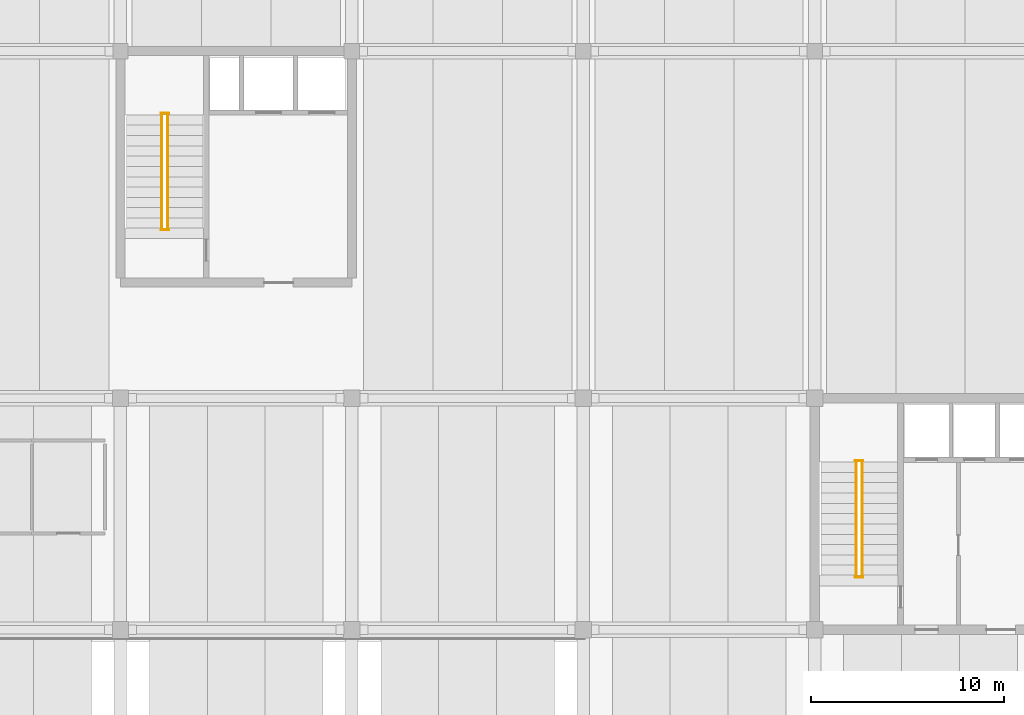
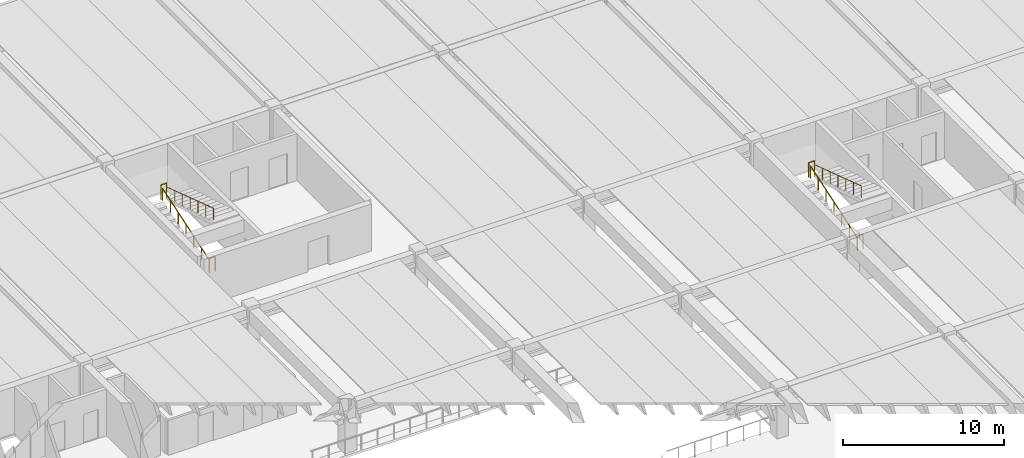
# One storey, part 16 of 16: 8 railings.
"""IFC4 building model written with IfcOpenShell, lengths in metres."""

from ifc_helpers import new_model, si_unit, direction, frame, origin, origin_2d, place, context, subcontext, project, spatial, circle, extrude, material, layer, layer_set, type_object, element, save


model = new_model("IFC4")

# Units and contexts
model_context = context("Model", 3, precision=1e-05, world=origin(), true_north=direction((0.0, 1.0)))
body_context = subcontext(model_context, "Body", "Model", "MODEL_VIEW")
ifc_project = project(units=[si_unit("LENGTHUNIT", "METRE"), si_unit("AREAUNIT", "SQUARE_METRE"), si_unit("VOLUMEUNIT", "CUBIC_METRE"), si_unit("PLANEANGLEUNIT", "RADIAN"), si_unit("MASSUNIT", "GRAM", prefix="KILO")], contexts=[model_context])

# Site, building, storey
site_placement = place(None, origin())
site = spatial("IfcSite", under=ifc_project, at=site_placement, CompositionType="ELEMENT")
building_placement = place(site_placement, origin())
building = spatial("IfcBuilding", under=site, at=building_placement, Name="Girod Span Mobility Hub", CompositionType="ELEMENT")
storey_placement = place(building_placement, frame((0.0, 0.0, 28.60009765625)))
storey = spatial("IfcBuildingStorey", under=building, at=storey_placement, Name="L07", CompositionType="ELEMENT", Elevation=28.60009765625)

# Railings
ifc_material_1 = material(Name="Painted Galvanised Steel", Category="steel")
ifc_layer_1 = layer(ifc_material_1, 0.06494140625)
ifc_layer_set_1 = layer_set([ifc_layer_1], Name="Painted Galvanised Steel")
railing_type_1 = type_object("IfcRailingType", Name="RL-GRD-1120", PredefinedType="GUARDRAIL", material=ifc_layer_set_1)
for number, where, name in (
    (1, (110.10009765625, 65.77001953125, 1.89990234375), "Stair ST-2 Half-Landing Well Guard L07"),
    (2, (110.10009765625, 59.72998046875, 0.0), "Stair ST-2 Landing Well Guard L07"),
    (3, (74.10009765625, 83.77001953125, 1.89990234375), "Stair ST-4 Half-Landing Well Guard L07"),
    (4, (74.10009765625, 77.72998046875, 0.0), "Stair ST-4 Landing Well Guard L07"),
):
    element("IfcRailing", number, at=place(storey_placement, frame(where)), inside=storey, type_object=railing_type_1, Name=name, PredefinedType="GUARDRAIL", context=body_context, shape_type="SweptSolid", body=[
        extrude(circle(Radius=0.02392578125, at=origin_2d()), frame((0.0, 0.0, 1.09619140625), z_axis=(1.0, 0.0, 0.0), x_axis=(0.0, 1.0, 0.0)), (0.0, 0.0, 1.0), 0.39990234375),
        extrude(circle(Radius=0.02099609375, at=origin_2d()), origin(), (0.0, 0.0, 1.0), 1.072021484375),
        extrude(circle(Radius=0.02099609375, at=origin_2d()), frame((0.39990234375, 0.0, 0.0)), (0.0, 0.0, 1.0), 1.072021484375),
    ])
ifc_material_2 = material(Name="Painted Galvanised Steel", Category="steel")
ifc_layer_2 = layer(ifc_material_2, 0.050048828125)
ifc_layer_set_2 = layer_set([ifc_layer_2], Name="Painted Galvanised Steel")
railing_type_2 = type_object("IfcRailingType", Name="RL-HR-920", PredefinedType="HANDRAIL", material=ifc_layer_set_2)
railing_1_placement = place(storey_placement, frame((110.14990234375, 59.860107421875, 0.0)))
element("IfcRailing", 5, at=railing_1_placement, inside=storey, type_object=railing_type_2, Name="Stair ST-2 Flight 1 Handrail L07", PredefinedType="HANDRAIL", context=body_context, shape_type="SweptSolid", body=[
    extrude(circle(Radius=0.02392578125, at=origin_2d()), frame((0.0, 0.0, 0.89599609375), z_axis=(0.0, 0.949991280403, 0.312276427477), x_axis=(-1.0, 0.0, 0.0)), (0.0, 0.0, 1.0), 6.083984375),
    extrude(circle(Radius=0.02099609375, at=origin_2d()), origin(), (0.0, 0.0, 1.0), 0.871826171875),
    extrude(circle(Radius=0.02099609375, at=origin_2d()), frame((0.0, 0.96337890625, 0.316650390625)), (0.0, 0.0, 1.0), 0.871826171875),
    extrude(circle(Radius=0.02099609375, at=origin_2d()), frame((0.0, 1.926513671875, 0.63330078125)), (0.0, 0.0, 1.0), 0.871826171875),
    extrude(circle(Radius=0.02099609375, at=origin_2d()), frame((0.0, 2.889892578125, 0.949951171875)), (0.0, 0.0, 1.0), 0.871826171875),
    extrude(circle(Radius=0.02099609375, at=origin_2d()), frame((0.0, 3.853271484375, 1.2666015625)), (0.0, 0.0, 1.0), 0.871826171875),
    extrude(circle(Radius=0.02099609375, at=origin_2d()), frame((0.0, 4.81640625, 1.583251953125)), (0.0, 0.0, 1.0), 0.871826171875),
    extrude(circle(Radius=0.02099609375, at=origin_2d()), frame((0.0, 5.77978515625, 1.89990234375)), (0.0, 0.0, 1.0), 0.871826171875),
])
railing_2_placement = place(storey_placement, frame((110.449951171875, 65.639892578125, 1.89990234375)))
element("IfcRailing", 6, at=railing_2_placement, inside=storey, type_object=railing_type_2, Name="Stair ST-2 Flight 2 Handrail L07", PredefinedType="HANDRAIL", context=body_context, shape_type="SweptSolid", body=[
    extrude(circle(Radius=0.02392578125, at=origin_2d()), frame((0.0, 0.0, 0.89599609375), z_axis=(0.0, -0.949991280403, 0.312276427477), x_axis=(1.0, 0.0, 0.0)), (0.0, 0.0, 1.0), 6.083984375),
    extrude(circle(Radius=0.02099609375, at=origin_2d()), origin(), (0.0, 0.0, 1.0), 0.871826171875),
    extrude(circle(Radius=0.02099609375, at=origin_2d()), frame((0.0, -0.96337890625, 0.316650390625)), (0.0, 0.0, 1.0), 0.871826171875),
    extrude(circle(Radius=0.02099609375, at=origin_2d()), frame((0.0, -1.926513671875, 0.63330078125)), (0.0, 0.0, 1.0), 0.871826171875),
    extrude(circle(Radius=0.02099609375, at=origin_2d()), frame((0.0, -2.889892578125, 0.949951171875)), (0.0, 0.0, 1.0), 0.871826171875),
    extrude(circle(Radius=0.02099609375, at=origin_2d()), frame((0.0, -3.853271484375, 1.2666015625)), (0.0, 0.0, 1.0), 0.871826171875),
    extrude(circle(Radius=0.02099609375, at=origin_2d()), frame((0.0, -4.81640625, 1.583251953125)), (0.0, 0.0, 1.0), 0.871826171875),
    extrude(circle(Radius=0.02099609375, at=origin_2d()), frame((0.0, -5.77978515625, 1.89990234375)), (0.0, 0.0, 1.0), 0.871826171875),
])
railing_3_placement = place(storey_placement, frame((74.14990234375, 77.860107421875, 0.0)))
element("IfcRailing", 7, at=railing_3_placement, inside=storey, type_object=railing_type_2, Name="Stair ST-4 Flight 1 Handrail L07", PredefinedType="HANDRAIL", context=body_context, shape_type="SweptSolid", body=[
    extrude(circle(Radius=0.02392578125, at=origin_2d()), frame((0.0, 0.0, 0.89599609375), z_axis=(0.0, 0.949991280403, 0.312276427477), x_axis=(-1.0, 0.0, 0.0)), (0.0, 0.0, 1.0), 6.083984375),
    extrude(circle(Radius=0.02099609375, at=origin_2d()), origin(), (0.0, 0.0, 1.0), 0.871826171875),
    extrude(circle(Radius=0.02099609375, at=origin_2d()), frame((0.0, 0.96337890625, 0.316650390625)), (0.0, 0.0, 1.0), 0.871826171875),
    extrude(circle(Radius=0.02099609375, at=origin_2d()), frame((0.0, 1.926513671875, 0.63330078125)), (0.0, 0.0, 1.0), 0.871826171875),
    extrude(circle(Radius=0.02099609375, at=origin_2d()), frame((0.0, 2.889892578125, 0.949951171875)), (0.0, 0.0, 1.0), 0.871826171875),
    extrude(circle(Radius=0.02099609375, at=origin_2d()), frame((0.0, 3.853271484375, 1.2666015625)), (0.0, 0.0, 1.0), 0.871826171875),
    extrude(circle(Radius=0.02099609375, at=origin_2d()), frame((0.0, 4.81640625, 1.583251953125)), (0.0, 0.0, 1.0), 0.871826171875),
    extrude(circle(Radius=0.02099609375, at=origin_2d()), frame((0.0, 5.77978515625, 1.89990234375)), (0.0, 0.0, 1.0), 0.871826171875),
])
railing_4_placement = place(storey_placement, frame((74.449951171875, 83.639892578125, 1.89990234375)))
element("IfcRailing", 8, at=railing_4_placement, inside=storey, type_object=railing_type_2, Name="Stair ST-4 Flight 2 Handrail L07", PredefinedType="HANDRAIL", context=body_context, shape_type="SweptSolid", body=[
    extrude(circle(Radius=0.02392578125, at=origin_2d()), frame((0.0, 0.0, 0.89599609375), z_axis=(0.0, -0.949991280403, 0.312276427477), x_axis=(1.0, 0.0, 0.0)), (0.0, 0.0, 1.0), 6.083984375),
    extrude(circle(Radius=0.02099609375, at=origin_2d()), origin(), (0.0, 0.0, 1.0), 0.871826171875),
    extrude(circle(Radius=0.02099609375, at=origin_2d()), frame((0.0, -0.96337890625, 0.316650390625)), (0.0, 0.0, 1.0), 0.871826171875),
    extrude(circle(Radius=0.02099609375, at=origin_2d()), frame((0.0, -1.926513671875, 0.63330078125)), (0.0, 0.0, 1.0), 0.871826171875),
    extrude(circle(Radius=0.02099609375, at=origin_2d()), frame((0.0, -2.889892578125, 0.949951171875)), (0.0, 0.0, 1.0), 0.871826171875),
    extrude(circle(Radius=0.02099609375, at=origin_2d()), frame((0.0, -3.853271484375, 1.2666015625)), (0.0, 0.0, 1.0), 0.871826171875),
    extrude(circle(Radius=0.02099609375, at=origin_2d()), frame((0.0, -4.81640625, 1.583251953125)), (0.0, 0.0, 1.0), 0.871826171875),
    extrude(circle(Radius=0.02099609375, at=origin_2d()), frame((0.0, -5.77978515625, 1.89990234375)), (0.0, 0.0, 1.0), 0.871826171875),
])

save(model, "model.ifc")
